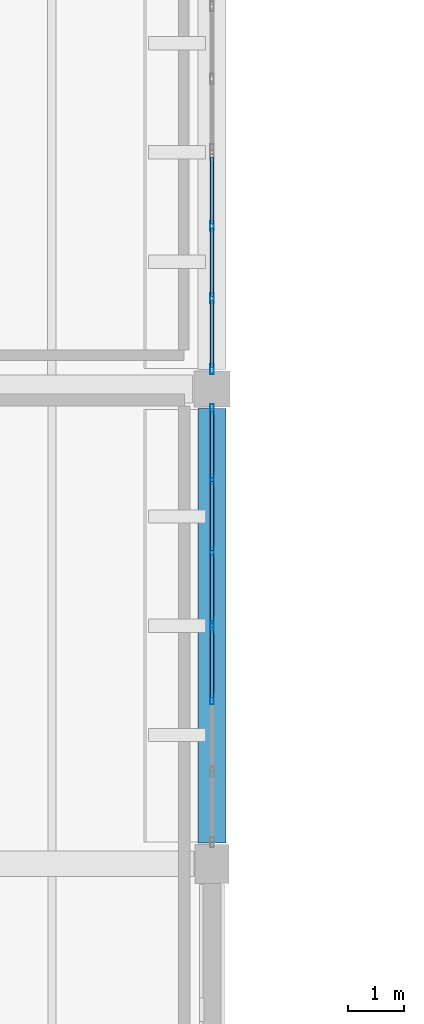
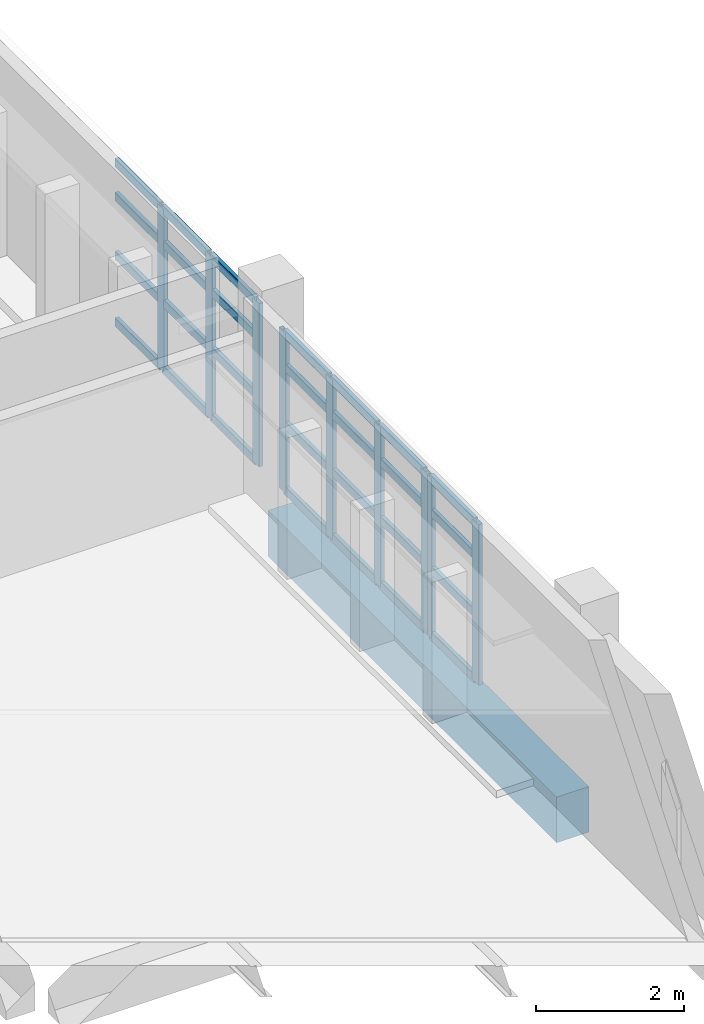
# One storey, part 20 of 93: 37 members, 1 beam, 3 elements without a shape of their own.
"""IFC4 building model written with IfcOpenShell, lengths in metres."""

from ifc_helpers import new_model, si_unit, direction, frame, origin, origin_2d, place, context, subcontext, project, spatial, rectangle, hollow_rectangle, extrude, material, material_profile, profile_set, type_object, element, aggregate, save


model = new_model("IFC4")

# Units and contexts
model_context = context("Model", 3, precision=1e-05, world=origin(), true_north=direction((0.0, 1.0)))
body_context = subcontext(model_context, "Body", "Model", "MODEL_VIEW")
ifc_project = project(units=[si_unit("LENGTHUNIT", "METRE"), si_unit("AREAUNIT", "SQUARE_METRE"), si_unit("VOLUMEUNIT", "CUBIC_METRE"), si_unit("PLANEANGLEUNIT", "RADIAN"), si_unit("MASSUNIT", "GRAM", prefix="KILO")], contexts=[model_context])

# Site, building, storey
site_placement = place(None, origin())
site = spatial("IfcSite", under=ifc_project, at=site_placement, CompositionType="ELEMENT")
building_placement = place(site_placement, origin())
building = spatial("IfcBuilding", under=site, at=building_placement, Name="Varnakota Cinema and Media Centre", CompositionType="ELEMENT")
storey_placement = place(building_placement, frame((0.0, 0.0, 12.0)))
storey = spatial("IfcBuildingStorey", under=building, at=storey_placement, Name="L03", CompositionType="ELEMENT", Elevation=12.0)

# Beam
ifc_material_1 = material(Name="Concrete M35", Category="concrete")
ifc_material_profile_1 = material_profile(ifc_material_1, rectangle(XDim=0.5, YDim=0.75, at=origin_2d()), Name="RCB 500x750")
ifc_profile_set_1 = profile_set([ifc_material_profile_1], Name="Concrete M35")
beam_type = type_object("IfcBeamType", Name="BM-RC-500x750", PredefinedType="BEAM", material=ifc_profile_set_1)
beam_placement = place(storey_placement, frame((34.39990234375, 44.375, -0.635009765625), z_axis=(0.0, 1.0, 0.0), x_axis=(-1.0, 0.0, 0.0)))
element("IfcBeam", 1, at=beam_placement, inside=storey, type_object=beam_type, Name="L03 girder E/6-7", PredefinedType="BEAM", context=body_context, shape_type="SweptSolid", body=[
    extrude(rectangle(XDim=0.5, YDim=0.75, at=origin_2d()), origin(), (0.0, 0.0, 1.0), 7.77490234375),
])

# Curtain wall, members
ifc_material_2 = material(Name="Thermally broken anodised aluminium AW-6063", Category="aluminium")
curtain_wall_type_1 = type_object("IfcCurtainWallType", Name="CW-STD-389x264", PredefinedType="USERDEFINED", material=ifc_material_2)
curtain_wall_1_placement = place(storey_placement, origin())
curtain_wall_1 = element("IfcCurtainWall", 2, at=curtain_wall_1_placement, inside=storey, type_object=curtain_wall_type_1, Name="L03 curtain wall CW-L03-V5-E-02-1", ObjectType="UNITISED CURTAIN WALL", PredefinedType="USERDEFINED")
ifc_material_3 = material(Name="Thermally broken anodised aluminium AW-6063", Category="aluminium")
ifc_material_profile_2 = material_profile(ifc_material_3, hollow_rectangle(XDim=0.06494140625, YDim=0.179931640625, WallThickness=0.00390625, InnerFilletRadius=0.00390625, OuterFilletRadius=0.008056640625, at=origin_2d()), Name="AL-MULLION 180x65x4")
ifc_profile_set_2 = profile_set([ifc_material_profile_2], Name="Thermally broken anodised aluminium AW-6063")
member_type_1 = type_object("IfcMemberType", Name="CWM-AL-180", PredefinedType="MULLION", material=ifc_profile_set_2)
member_1_placement = place(storey_placement, frame((34.39990234375, 46.945068359375, 0.0), z_axis=(0.0, 0.0, 1.0), x_axis=(-1.0, 0.0, 0.0)))
member_1 = element("IfcMember", 3, at=member_1_placement, type_object=member_type_1, Name="CW41 mullion 3", PredefinedType="MULLION", context=body_context, shape_type="SweptSolid", body=[
    extrude(hollow_rectangle(XDim=0.06494140625, YDim=0.179931640625, WallThickness=0.00390625, InnerFilletRadius=0.00390625, OuterFilletRadius=0.008056640625, at=origin_2d()), origin(), (0.0, 0.0, 1.0), 2.635009765625),
])
member_2_placement = place(storey_placement, frame((34.39990234375, 48.2099609375, 0.0), z_axis=(0.0, 0.0, 1.0), x_axis=(-1.0, 0.0, 0.0)))
member_2 = element("IfcMember", 4, at=member_2_placement, type_object=member_type_1, Name="CW41 mullion 4", PredefinedType="MULLION", context=body_context, shape_type="SweptSolid", body=[
    extrude(hollow_rectangle(XDim=0.06494140625, YDim=0.179931640625, WallThickness=0.00390625, InnerFilletRadius=0.00390625, OuterFilletRadius=0.008056640625, at=origin_2d()), origin(), (0.0, 0.0, 1.0), 2.635009765625),
])

curtain_wall_2_placement = place(storey_placement, origin())
curtain_wall_2 = element("IfcCurtainWall", 5, at=curtain_wall_2_placement, inside=storey, type_object=curtain_wall_type_1, Name="L03 curtain wall CW-L03-V5-E-02-2", ObjectType="UNITISED CURTAIN WALL", PredefinedType="USERDEFINED")
member_3_placement = place(storey_placement, frame((34.39990234375, 48.31494140625, 0.0), z_axis=(0.0, 0.0, 1.0), x_axis=(-1.0, 0.0, 0.0)))
member_3 = element("IfcMember", 6, at=member_3_placement, type_object=member_type_1, Name="CW41 mullion 1", PredefinedType="MULLION", context=body_context, shape_type="SweptSolid", body=[
    extrude(hollow_rectangle(XDim=0.06494140625, YDim=0.179931640625, WallThickness=0.00390625, InnerFilletRadius=0.00390625, OuterFilletRadius=0.008056640625, at=origin_2d()), origin(), (0.0, 0.0, 1.0), 2.635009765625),
])
member_4_placement = place(storey_placement, frame((34.39990234375, 49.580078125, 0.0), z_axis=(0.0, 0.0, 1.0), x_axis=(-1.0, 0.0, 0.0)))
member_4 = element("IfcMember", 7, at=member_4_placement, type_object=member_type_1, Name="CW41 mullion 2", PredefinedType="MULLION", context=body_context, shape_type="SweptSolid", body=[
    extrude(hollow_rectangle(XDim=0.06494140625, YDim=0.179931640625, WallThickness=0.00390625, InnerFilletRadius=0.00390625, OuterFilletRadius=0.008056640625, at=origin_2d()), origin(), (0.0, 0.0, 1.0), 2.635009765625),
])
member_5_placement = place(storey_placement, frame((34.39990234375, 50.87744140625, 0.0), z_axis=(0.0, 0.0, 1.0), x_axis=(-1.0, 0.0, 0.0)))
member_5 = element("IfcMember", 8, at=member_5_placement, type_object=member_type_1, Name="CW41 mullion 3", PredefinedType="MULLION", context=body_context, shape_type="SweptSolid", body=[
    extrude(hollow_rectangle(XDim=0.06494140625, YDim=0.179931640625, WallThickness=0.00390625, InnerFilletRadius=0.00390625, OuterFilletRadius=0.008056640625, at=origin_2d()), origin(), (0.0, 0.0, 1.0), 2.635009765625),
])
member_6_placement = place(storey_placement, frame((34.39990234375, 52.142578125, 0.0), z_axis=(0.0, 0.0, 1.0), x_axis=(-1.0, 0.0, 0.0)))
member_6 = element("IfcMember", 9, at=member_6_placement, type_object=member_type_1, Name="CW41 mullion 4", PredefinedType="MULLION", context=body_context, shape_type="SweptSolid", body=[
    extrude(hollow_rectangle(XDim=0.06494140625, YDim=0.179931640625, WallThickness=0.00390625, InnerFilletRadius=0.00390625, OuterFilletRadius=0.008056640625, at=origin_2d()), origin(), (0.0, 0.0, 1.0), 2.635009765625),
])

ifc_material_4 = material(Name="Thermally broken anodised aluminium AW-6063", Category="aluminium")
curtain_wall_type_2 = type_object("IfcCurtainWallType", Name="CW-STD-389x268", PredefinedType="USERDEFINED", material=ifc_material_4)
curtain_wall_3_placement = place(storey_placement, origin())
curtain_wall_3 = element("IfcCurtainWall", 10, at=curtain_wall_3_placement, inside=storey, type_object=curtain_wall_type_2, Name="L03 curtain wall CW-L03-V5-E-03-1", ObjectType="UNITISED CURTAIN WALL", PredefinedType="USERDEFINED")
member_7_placement = place(storey_placement, frame((34.39990234375, 52.857421875, 0.0), z_axis=(0.0, 0.0, 1.0), x_axis=(-1.0, 0.0, 0.0)))
member_7 = element("IfcMember", 11, at=member_7_placement, type_object=member_type_1, Name="CW42 mullion 1", PredefinedType="MULLION", context=body_context, shape_type="SweptSolid", body=[
    extrude(hollow_rectangle(XDim=0.06494140625, YDim=0.179931640625, WallThickness=0.00390625, InnerFilletRadius=0.00390625, OuterFilletRadius=0.008056640625, at=origin_2d()), origin(), (0.0, 0.0, 1.0), 2.68505859375),
])
member_8_placement = place(storey_placement, frame((34.39990234375, 54.12255859375, 0.0), z_axis=(0.0, 0.0, 1.0), x_axis=(-1.0, 0.0, 0.0)))
member_8 = element("IfcMember", 12, at=member_8_placement, type_object=member_type_1, Name="CW42 mullion 2", PredefinedType="MULLION", context=body_context, shape_type="SweptSolid", body=[
    extrude(hollow_rectangle(XDim=0.06494140625, YDim=0.179931640625, WallThickness=0.00390625, InnerFilletRadius=0.00390625, OuterFilletRadius=0.008056640625, at=origin_2d()), origin(), (0.0, 0.0, 1.0), 2.68505859375),
])
member_9_placement = place(storey_placement, frame((34.39990234375, 55.419921875, 0.0), z_axis=(0.0, 0.0, 1.0), x_axis=(-1.0, 0.0, 0.0)))
member_9 = element("IfcMember", 13, at=member_9_placement, type_object=member_type_1, Name="CW42 mullion 3", PredefinedType="MULLION", context=body_context, shape_type="SweptSolid", body=[
    extrude(hollow_rectangle(XDim=0.06494140625, YDim=0.179931640625, WallThickness=0.00390625, InnerFilletRadius=0.00390625, OuterFilletRadius=0.008056640625, at=origin_2d()), origin(), (0.0, 0.0, 1.0), 2.68505859375),
])

# Member
ifc_material_5 = material(Name="Thermally broken anodised aluminium AW-6063", Category="aluminium")
ifc_material_profile_3 = material_profile(ifc_material_5, hollow_rectangle(XDim=0.06494140625, YDim=0.139892578125, WallThickness=0.00390625, InnerFilletRadius=0.00390625, OuterFilletRadius=0.008056640625, at=origin_2d()), Name="AL-TRANSOM 140x65x4")
ifc_profile_set_3 = profile_set([ifc_material_profile_3], Name="Thermally broken anodised aluminium AW-6063")
member_type_2 = type_object("IfcMemberType", Name="CWT-AL-140", PredefinedType="USERDEFINED", material=ifc_profile_set_3)
member_10_placement = place(storey_placement, frame((34.39990234375, 46.9775390625, 0.032470703125), z_axis=(0.0, 1.0, 0.0), x_axis=(-1.0, 0.0, 0.0)))
member_10 = element("IfcMember", 14, at=member_10_placement, type_object=member_type_2, Name="CW41 transom 3.1", ObjectType="TRANSOM", PredefinedType="USERDEFINED", context=body_context, shape_type="SweptSolid", body=[
    extrude(hollow_rectangle(XDim=0.06494140625, YDim=0.139892578125, WallThickness=0.00390625, InnerFilletRadius=0.00390625, OuterFilletRadius=0.008056640625, at=origin_2d()), origin(), (0.0, 0.0, 1.0), 1.199951171875),
])

member_11_placement = place(storey_placement, frame((34.39990234375, 46.9775390625, 1.106689453125), z_axis=(0.0, 1.0, 0.0), x_axis=(-1.0, 0.0, 0.0)))
member_11 = element("IfcMember", 15, at=member_11_placement, type_object=member_type_2, Name="CW41 transom 3.2", ObjectType="TRANSOM", PredefinedType="USERDEFINED", context=body_context, shape_type="SweptSolid", body=[
    extrude(hollow_rectangle(XDim=0.06494140625, YDim=0.139892578125, WallThickness=0.00390625, InnerFilletRadius=0.00390625, OuterFilletRadius=0.008056640625, at=origin_2d()), origin(), (0.0, 0.0, 1.0), 1.199951171875),
])

member_12_placement = place(storey_placement, frame((34.39990234375, 46.9775390625, 2.055419921875), z_axis=(0.0, 1.0, 0.0), x_axis=(-1.0, 0.0, 0.0)))
member_12 = element("IfcMember", 16, at=member_12_placement, type_object=member_type_2, Name="CW41 transom 3.3", ObjectType="TRANSOM", PredefinedType="USERDEFINED", context=body_context, shape_type="SweptSolid", body=[
    extrude(hollow_rectangle(XDim=0.06494140625, YDim=0.139892578125, WallThickness=0.00390625, InnerFilletRadius=0.00390625, OuterFilletRadius=0.008056640625, at=origin_2d()), origin(), (0.0, 0.0, 1.0), 1.199951171875),
])

member_13_placement = place(storey_placement, frame((34.39990234375, 46.9775390625, 2.6025390625), z_axis=(0.0, 1.0, 0.0), x_axis=(-1.0, 0.0, 0.0)))
member_13 = element("IfcMember", 17, at=member_13_placement, type_object=member_type_2, Name="CW41 transom 3.4", ObjectType="TRANSOM", PredefinedType="USERDEFINED", context=body_context, shape_type="SweptSolid", body=[
    extrude(hollow_rectangle(XDim=0.06494140625, YDim=0.139892578125, WallThickness=0.00390625, InnerFilletRadius=0.00390625, OuterFilletRadius=0.008056640625, at=origin_2d()), origin(), (0.0, 0.0, 1.0), 1.199951171875),
])

aggregate(curtain_wall_1, [member_1, member_2, member_10, member_11, member_12, member_13])

member_14_placement = place(storey_placement, frame((34.39990234375, 48.347412109375, 0.032470703125), z_axis=(0.0, 1.0, 0.0), x_axis=(-1.0, 0.0, 0.0)))
member_14 = element("IfcMember", 18, at=member_14_placement, type_object=member_type_2, Name="CW41 transom 1.1", ObjectType="TRANSOM", PredefinedType="USERDEFINED", context=body_context, shape_type="SweptSolid", body=[
    extrude(hollow_rectangle(XDim=0.06494140625, YDim=0.139892578125, WallThickness=0.00390625, InnerFilletRadius=0.00390625, OuterFilletRadius=0.008056640625, at=origin_2d()), origin(), (0.0, 0.0, 1.0), 1.2001953125),
])

member_15_placement = place(storey_placement, frame((34.39990234375, 48.347412109375, 1.106689453125), z_axis=(0.0, 1.0, 0.0), x_axis=(-1.0, 0.0, 0.0)))
member_15 = element("IfcMember", 19, at=member_15_placement, type_object=member_type_2, Name="CW41 transom 1.2", ObjectType="TRANSOM", PredefinedType="USERDEFINED", context=body_context, shape_type="SweptSolid", body=[
    extrude(hollow_rectangle(XDim=0.06494140625, YDim=0.139892578125, WallThickness=0.00390625, InnerFilletRadius=0.00390625, OuterFilletRadius=0.008056640625, at=origin_2d()), origin(), (0.0, 0.0, 1.0), 1.2001953125),
])

member_16_placement = place(storey_placement, frame((34.39990234375, 48.347412109375, 2.055419921875), z_axis=(0.0, 1.0, 0.0), x_axis=(-1.0, 0.0, 0.0)))
member_16 = element("IfcMember", 20, at=member_16_placement, type_object=member_type_2, Name="CW41 transom 1.3", ObjectType="TRANSOM", PredefinedType="USERDEFINED", context=body_context, shape_type="SweptSolid", body=[
    extrude(hollow_rectangle(XDim=0.06494140625, YDim=0.139892578125, WallThickness=0.00390625, InnerFilletRadius=0.00390625, OuterFilletRadius=0.008056640625, at=origin_2d()), origin(), (0.0, 0.0, 1.0), 1.2001953125),
])

member_17_placement = place(storey_placement, frame((34.39990234375, 48.347412109375, 2.6025390625), z_axis=(0.0, 1.0, 0.0), x_axis=(-1.0, 0.0, 0.0)))
member_17 = element("IfcMember", 21, at=member_17_placement, type_object=member_type_2, Name="CW41 transom 1.4", ObjectType="TRANSOM", PredefinedType="USERDEFINED", context=body_context, shape_type="SweptSolid", body=[
    extrude(hollow_rectangle(XDim=0.06494140625, YDim=0.139892578125, WallThickness=0.00390625, InnerFilletRadius=0.00390625, OuterFilletRadius=0.008056640625, at=origin_2d()), origin(), (0.0, 0.0, 1.0), 1.2001953125),
])

member_18_placement = place(storey_placement, frame((34.39990234375, 49.612548828125, 0.032470703125), z_axis=(0.0, 1.0, 0.0), x_axis=(-1.0, 0.0, 0.0)))
member_18 = element("IfcMember", 22, at=member_18_placement, type_object=member_type_2, Name="CW41 transom 2.1", ObjectType="TRANSOM", PredefinedType="USERDEFINED", context=body_context, shape_type="SweptSolid", body=[
    extrude(hollow_rectangle(XDim=0.06494140625, YDim=0.139892578125, WallThickness=0.00390625, InnerFilletRadius=0.00390625, OuterFilletRadius=0.008056640625, at=origin_2d()), origin(), (0.0, 0.0, 1.0), 1.232421875),
])

member_19_placement = place(storey_placement, frame((34.39990234375, 49.612548828125, 1.106689453125), z_axis=(0.0, 1.0, 0.0), x_axis=(-1.0, 0.0, 0.0)))
member_19 = element("IfcMember", 23, at=member_19_placement, type_object=member_type_2, Name="CW41 transom 2.2", ObjectType="TRANSOM", PredefinedType="USERDEFINED", context=body_context, shape_type="SweptSolid", body=[
    extrude(hollow_rectangle(XDim=0.06494140625, YDim=0.139892578125, WallThickness=0.00390625, InnerFilletRadius=0.00390625, OuterFilletRadius=0.008056640625, at=origin_2d()), origin(), (0.0, 0.0, 1.0), 1.232421875),
])

member_20_placement = place(storey_placement, frame((34.39990234375, 49.612548828125, 2.055419921875), z_axis=(0.0, 1.0, 0.0), x_axis=(-1.0, 0.0, 0.0)))
member_20 = element("IfcMember", 24, at=member_20_placement, type_object=member_type_2, Name="CW41 transom 2.3", ObjectType="TRANSOM", PredefinedType="USERDEFINED", context=body_context, shape_type="SweptSolid", body=[
    extrude(hollow_rectangle(XDim=0.06494140625, YDim=0.139892578125, WallThickness=0.00390625, InnerFilletRadius=0.00390625, OuterFilletRadius=0.008056640625, at=origin_2d()), origin(), (0.0, 0.0, 1.0), 1.232421875),
])

member_21_placement = place(storey_placement, frame((34.39990234375, 49.612548828125, 2.6025390625), z_axis=(0.0, 1.0, 0.0), x_axis=(-1.0, 0.0, 0.0)))
member_21 = element("IfcMember", 25, at=member_21_placement, type_object=member_type_2, Name="CW41 transom 2.4", ObjectType="TRANSOM", PredefinedType="USERDEFINED", context=body_context, shape_type="SweptSolid", body=[
    extrude(hollow_rectangle(XDim=0.06494140625, YDim=0.139892578125, WallThickness=0.00390625, InnerFilletRadius=0.00390625, OuterFilletRadius=0.008056640625, at=origin_2d()), origin(), (0.0, 0.0, 1.0), 1.232421875),
])

member_22_placement = place(storey_placement, frame((34.39990234375, 50.909912109375, 0.032470703125), z_axis=(0.0, 1.0, 0.0), x_axis=(-1.0, 0.0, 0.0)))
member_22 = element("IfcMember", 26, at=member_22_placement, type_object=member_type_2, Name="CW41 transom 3.1", ObjectType="TRANSOM", PredefinedType="USERDEFINED", context=body_context, shape_type="SweptSolid", body=[
    extrude(hollow_rectangle(XDim=0.06494140625, YDim=0.139892578125, WallThickness=0.00390625, InnerFilletRadius=0.00390625, OuterFilletRadius=0.008056640625, at=origin_2d()), origin(), (0.0, 0.0, 1.0), 1.2001953125),
])

member_23_placement = place(storey_placement, frame((34.39990234375, 50.909912109375, 1.106689453125), z_axis=(0.0, 1.0, 0.0), x_axis=(-1.0, 0.0, 0.0)))
member_23 = element("IfcMember", 27, at=member_23_placement, type_object=member_type_2, Name="CW41 transom 3.2", ObjectType="TRANSOM", PredefinedType="USERDEFINED", context=body_context, shape_type="SweptSolid", body=[
    extrude(hollow_rectangle(XDim=0.06494140625, YDim=0.139892578125, WallThickness=0.00390625, InnerFilletRadius=0.00390625, OuterFilletRadius=0.008056640625, at=origin_2d()), origin(), (0.0, 0.0, 1.0), 1.2001953125),
])

member_24_placement = place(storey_placement, frame((34.39990234375, 50.909912109375, 2.055419921875), z_axis=(0.0, 1.0, 0.0), x_axis=(-1.0, 0.0, 0.0)))
member_24 = element("IfcMember", 28, at=member_24_placement, type_object=member_type_2, Name="CW41 transom 3.3", ObjectType="TRANSOM", PredefinedType="USERDEFINED", context=body_context, shape_type="SweptSolid", body=[
    extrude(hollow_rectangle(XDim=0.06494140625, YDim=0.139892578125, WallThickness=0.00390625, InnerFilletRadius=0.00390625, OuterFilletRadius=0.008056640625, at=origin_2d()), origin(), (0.0, 0.0, 1.0), 1.2001953125),
])

member_25_placement = place(storey_placement, frame((34.39990234375, 50.909912109375, 2.6025390625), z_axis=(0.0, 1.0, 0.0), x_axis=(-1.0, 0.0, 0.0)))
member_25 = element("IfcMember", 29, at=member_25_placement, type_object=member_type_2, Name="CW41 transom 3.4", ObjectType="TRANSOM", PredefinedType="USERDEFINED", context=body_context, shape_type="SweptSolid", body=[
    extrude(hollow_rectangle(XDim=0.06494140625, YDim=0.139892578125, WallThickness=0.00390625, InnerFilletRadius=0.00390625, OuterFilletRadius=0.008056640625, at=origin_2d()), origin(), (0.0, 0.0, 1.0), 1.2001953125),
])

aggregate(curtain_wall_2, [member_3, member_4, member_5, member_6, member_14, member_15, member_16, member_17, member_18, member_19, member_20, member_21, member_22, member_23, member_24, member_25])

member_26_placement = place(storey_placement, frame((34.39990234375, 52.889892578125, 0.032470703125), z_axis=(0.0, 1.0, 0.0), x_axis=(-1.0, 0.0, 0.0)))
member_26 = element("IfcMember", 30, at=member_26_placement, type_object=member_type_2, Name="CW42 transom 1.1", ObjectType="TRANSOM", PredefinedType="USERDEFINED", context=body_context, shape_type="SweptSolid", body=[
    extrude(hollow_rectangle(XDim=0.06494140625, YDim=0.139892578125, WallThickness=0.00390625, InnerFilletRadius=0.00390625, OuterFilletRadius=0.008056640625, at=origin_2d()), origin(), (0.0, 0.0, 1.0), 1.2001953125),
])

member_27_placement = place(storey_placement, frame((34.39990234375, 52.889892578125, 1.127685546875), z_axis=(0.0, 1.0, 0.0), x_axis=(-1.0, 0.0, 0.0)))
member_27 = element("IfcMember", 31, at=member_27_placement, type_object=member_type_2, Name="CW42 transom 1.2", ObjectType="TRANSOM", PredefinedType="USERDEFINED", context=body_context, shape_type="SweptSolid", body=[
    extrude(hollow_rectangle(XDim=0.06494140625, YDim=0.139892578125, WallThickness=0.00390625, InnerFilletRadius=0.00390625, OuterFilletRadius=0.008056640625, at=origin_2d()), origin(), (0.0, 0.0, 1.0), 1.2001953125),
])

member_28_placement = place(storey_placement, frame((34.39990234375, 52.889892578125, 2.09423828125), z_axis=(0.0, 1.0, 0.0), x_axis=(-1.0, 0.0, 0.0)))
member_28 = element("IfcMember", 32, at=member_28_placement, type_object=member_type_2, Name="CW42 transom 1.3", ObjectType="TRANSOM", PredefinedType="USERDEFINED", context=body_context, shape_type="SweptSolid", body=[
    extrude(hollow_rectangle(XDim=0.06494140625, YDim=0.139892578125, WallThickness=0.00390625, InnerFilletRadius=0.00390625, OuterFilletRadius=0.008056640625, at=origin_2d()), origin(), (0.0, 0.0, 1.0), 1.2001953125),
])

member_29_placement = place(storey_placement, frame((34.39990234375, 52.889892578125, 2.652587890625), z_axis=(0.0, 1.0, 0.0), x_axis=(-1.0, 0.0, 0.0)))
member_29 = element("IfcMember", 33, at=member_29_placement, type_object=member_type_2, Name="CW42 transom 1.4", ObjectType="TRANSOM", PredefinedType="USERDEFINED", context=body_context, shape_type="SweptSolid", body=[
    extrude(hollow_rectangle(XDim=0.06494140625, YDim=0.139892578125, WallThickness=0.00390625, InnerFilletRadius=0.00390625, OuterFilletRadius=0.008056640625, at=origin_2d()), origin(), (0.0, 0.0, 1.0), 1.2001953125),
])

member_30_placement = place(storey_placement, frame((34.39990234375, 54.155029296875, 0.032470703125), z_axis=(0.0, 1.0, 0.0), x_axis=(-1.0, 0.0, 0.0)))
member_30 = element("IfcMember", 34, at=member_30_placement, type_object=member_type_2, Name="CW42 transom 2.1", ObjectType="TRANSOM", PredefinedType="USERDEFINED", context=body_context, shape_type="SweptSolid", body=[
    extrude(hollow_rectangle(XDim=0.06494140625, YDim=0.139892578125, WallThickness=0.00390625, InnerFilletRadius=0.00390625, OuterFilletRadius=0.008056640625, at=origin_2d()), origin(), (0.0, 0.0, 1.0), 1.232421875),
])

member_31_placement = place(storey_placement, frame((34.39990234375, 54.155029296875, 1.127685546875), z_axis=(0.0, 1.0, 0.0), x_axis=(-1.0, 0.0, 0.0)))
member_31 = element("IfcMember", 35, at=member_31_placement, type_object=member_type_2, Name="CW42 transom 2.2", ObjectType="TRANSOM", PredefinedType="USERDEFINED", context=body_context, shape_type="SweptSolid", body=[
    extrude(hollow_rectangle(XDim=0.06494140625, YDim=0.139892578125, WallThickness=0.00390625, InnerFilletRadius=0.00390625, OuterFilletRadius=0.008056640625, at=origin_2d()), origin(), (0.0, 0.0, 1.0), 1.232421875),
])

member_32_placement = place(storey_placement, frame((34.39990234375, 54.155029296875, 2.09423828125), z_axis=(0.0, 1.0, 0.0), x_axis=(-1.0, 0.0, 0.0)))
member_32 = element("IfcMember", 36, at=member_32_placement, type_object=member_type_2, Name="CW42 transom 2.3", ObjectType="TRANSOM", PredefinedType="USERDEFINED", context=body_context, shape_type="SweptSolid", body=[
    extrude(hollow_rectangle(XDim=0.06494140625, YDim=0.139892578125, WallThickness=0.00390625, InnerFilletRadius=0.00390625, OuterFilletRadius=0.008056640625, at=origin_2d()), origin(), (0.0, 0.0, 1.0), 1.232421875),
])

member_33_placement = place(storey_placement, frame((34.39990234375, 54.155029296875, 2.652587890625), z_axis=(0.0, 1.0, 0.0), x_axis=(-1.0, 0.0, 0.0)))
member_33 = element("IfcMember", 37, at=member_33_placement, type_object=member_type_2, Name="CW42 transom 2.4", ObjectType="TRANSOM", PredefinedType="USERDEFINED", context=body_context, shape_type="SweptSolid", body=[
    extrude(hollow_rectangle(XDim=0.06494140625, YDim=0.139892578125, WallThickness=0.00390625, InnerFilletRadius=0.00390625, OuterFilletRadius=0.008056640625, at=origin_2d()), origin(), (0.0, 0.0, 1.0), 1.232421875),
])

member_34_placement = place(storey_placement, frame((34.39990234375, 55.452392578125, 0.032470703125), z_axis=(0.0, 1.0, 0.0), x_axis=(-1.0, 0.0, 0.0)))
member_34 = element("IfcMember", 38, at=member_34_placement, type_object=member_type_2, Name="CW42 transom 3.1", ObjectType="TRANSOM", PredefinedType="USERDEFINED", context=body_context, shape_type="SweptSolid", body=[
    extrude(hollow_rectangle(XDim=0.06494140625, YDim=0.139892578125, WallThickness=0.00390625, InnerFilletRadius=0.00390625, OuterFilletRadius=0.008056640625, at=origin_2d()), origin(), (0.0, 0.0, 1.0), 1.2001953125),
])

member_35_placement = place(storey_placement, frame((34.39990234375, 55.452392578125, 1.127685546875), z_axis=(0.0, 1.0, 0.0), x_axis=(-1.0, 0.0, 0.0)))
member_35 = element("IfcMember", 39, at=member_35_placement, type_object=member_type_2, Name="CW42 transom 3.2", ObjectType="TRANSOM", PredefinedType="USERDEFINED", context=body_context, shape_type="SweptSolid", body=[
    extrude(hollow_rectangle(XDim=0.06494140625, YDim=0.139892578125, WallThickness=0.00390625, InnerFilletRadius=0.00390625, OuterFilletRadius=0.008056640625, at=origin_2d()), origin(), (0.0, 0.0, 1.0), 1.2001953125),
])

member_36_placement = place(storey_placement, frame((34.39990234375, 55.452392578125, 2.09423828125), z_axis=(0.0, 1.0, 0.0), x_axis=(-1.0, 0.0, 0.0)))
member_36 = element("IfcMember", 40, at=member_36_placement, type_object=member_type_2, Name="CW42 transom 3.3", ObjectType="TRANSOM", PredefinedType="USERDEFINED", context=body_context, shape_type="SweptSolid", body=[
    extrude(hollow_rectangle(XDim=0.06494140625, YDim=0.139892578125, WallThickness=0.00390625, InnerFilletRadius=0.00390625, OuterFilletRadius=0.008056640625, at=origin_2d()), origin(), (0.0, 0.0, 1.0), 1.2001953125),
])

member_37_placement = place(storey_placement, frame((34.39990234375, 55.452392578125, 2.652587890625), z_axis=(0.0, 1.0, 0.0), x_axis=(-1.0, 0.0, 0.0)))
member_37 = element("IfcMember", 41, at=member_37_placement, type_object=member_type_2, Name="CW42 transom 3.4", ObjectType="TRANSOM", PredefinedType="USERDEFINED", context=body_context, shape_type="SweptSolid", body=[
    extrude(hollow_rectangle(XDim=0.06494140625, YDim=0.139892578125, WallThickness=0.00390625, InnerFilletRadius=0.00390625, OuterFilletRadius=0.008056640625, at=origin_2d()), origin(), (0.0, 0.0, 1.0), 1.2001953125),
])

aggregate(curtain_wall_3, [member_7, member_8, member_9, member_26, member_27, member_28, member_29, member_30, member_31, member_32, member_33, member_34, member_35, member_36, member_37])

save(model, "model.ifc")
